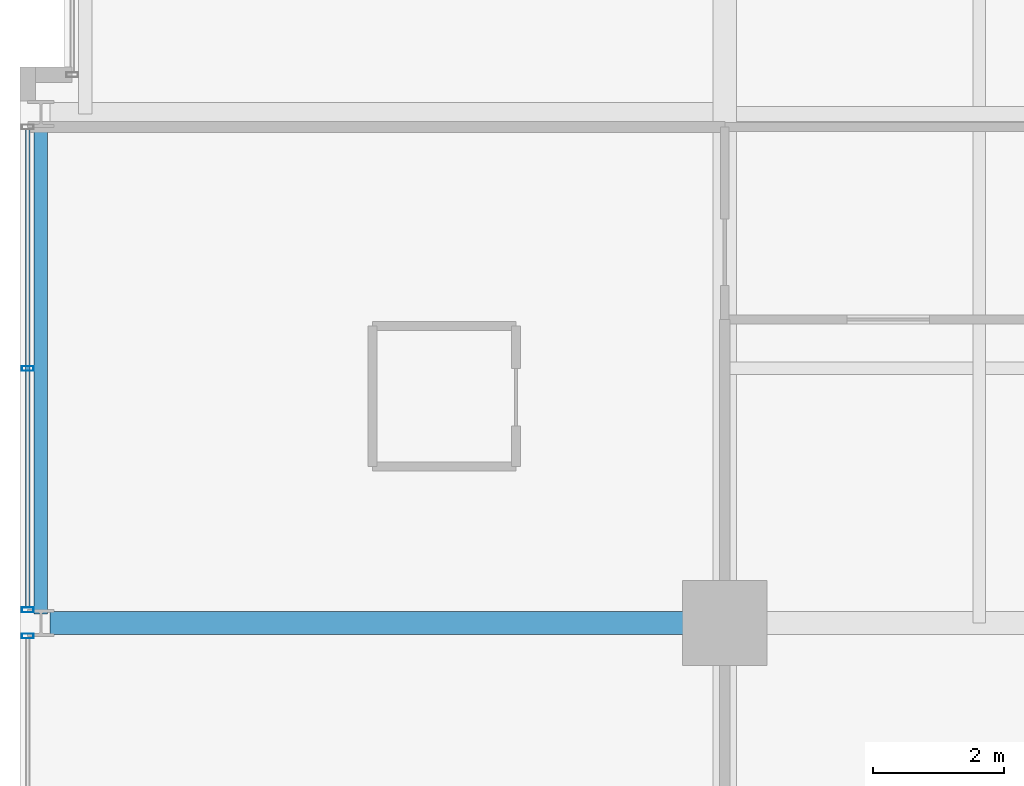
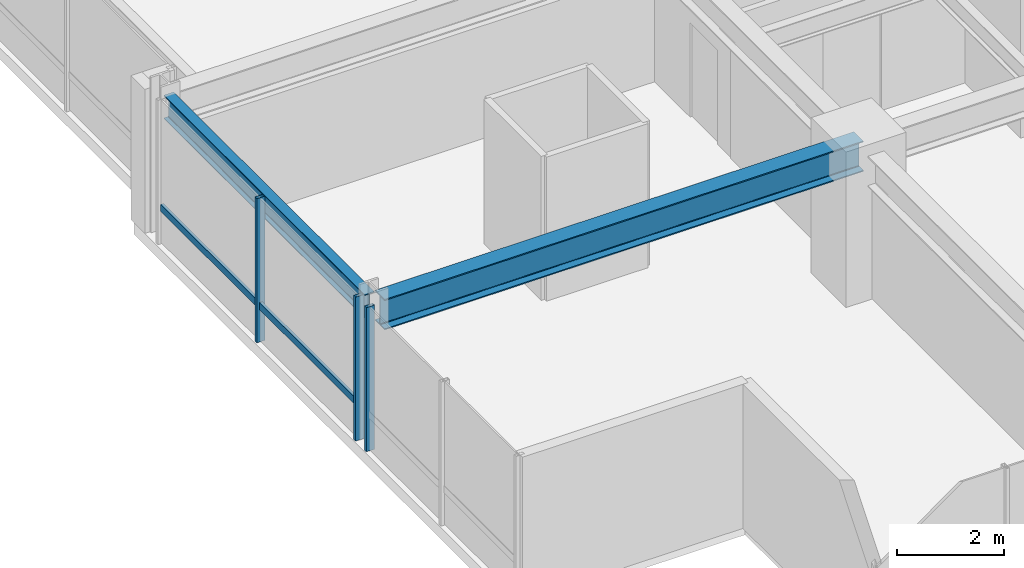
# One storey, part 4 of 33: 4 members, 2 beams, 2 elements without a shape of their own.
"""IFC4 building model written with IfcOpenShell, lengths in metres."""

from ifc_helpers import new_model, si_unit, direction, frame, origin, origin_2d, place, context, subcontext, project, spatial, hollow_rectangle, i_section, extrude, material, layer, layer_set, material_profile, profile_set, type_object, element, aggregate, save


model = new_model("IFC4")

# Units and contexts
model_context = context("Model", 3, precision=1e-05, world=origin(), true_north=direction((0.0, 1.0)))
body_context = subcontext(model_context, "Body", "Model", "MODEL_VIEW")
ifc_project = project(units=[si_unit("LENGTHUNIT", "METRE"), si_unit("AREAUNIT", "SQUARE_METRE"), si_unit("VOLUMEUNIT", "CUBIC_METRE"), si_unit("PLANEANGLEUNIT", "RADIAN"), si_unit("MASSUNIT", "GRAM", prefix="KILO")], contexts=[model_context])

# Site, building, storey
site_placement = place(None, origin())
site = spatial("IfcSite", under=ifc_project, at=site_placement, CompositionType="ELEMENT")
building_placement = place(site_placement, origin())
building = spatial("IfcBuilding", under=site, at=building_placement, Name="Drelvath Grand Hotel", CompositionType="ELEMENT")
storey_placement = place(building_placement, frame((0.0, 0.0, 171.699951171875)))
storey = spatial("IfcBuildingStorey", under=building, at=storey_placement, Name="L44", CompositionType="ELEMENT", Elevation=171.699951171875)

# Curtain wall, member
ifc_material_1 = material(Name="Brushed Pale-Silver Anodised Aluminium Frame", Category="aluminium")
ifc_layer = layer(ifc_material_1, 0.199951171875)
ifc_layer_set = layer_set([ifc_layer], Name="Brushed Pale-Silver Anodised Aluminium Frame")
curtain_wall_type = type_object("IfcCurtainWallType", Name="Stick Curtain Wall CW-04 Brushed Silver Upper-Mid", PredefinedType="NOTDEFINED", material=ifc_layer_set)
curtain_wall_1_placement = place(storey_placement, origin())
curtain_wall_1 = element("IfcCurtainWall", 1, at=curtain_wall_1_placement, inside=storey, type_object=curtain_wall_type, Name="L44 CW-04 Curtain Wall CW04-L44-WS2", PredefinedType="NOTDEFINED")
ifc_material_profile_1 = material_profile(ifc_material_1, hollow_rectangle(XDim=0.06494140625, YDim=0.159912109375, WallThickness=0.00390625, at=origin_2d()), Name="HSS160X65X4")
ifc_profile_set_1 = profile_set([ifc_material_profile_1], Name="Brushed Pale-Silver Anodised Aluminium Frame")
member_type_1 = type_object("IfcMemberType", Name="Curtain Wall Horizontal Transom CW-04 HSS160X65X4", PredefinedType="USERDEFINED", material=ifc_profile_set_1)
member_1_placement = place(storey_placement, frame((-26.8798828125, 11.0400390625, 0.822509765625), z_axis=(0.0, 1.0, 0.0), x_axis=(-1.0, 0.0, 0.0)))
member_1 = element("IfcMember", 2, at=member_1_placement, type_object=member_type_1, Name="CW04-L44-WS2 Sill Transom", ObjectType="TRANSOM", PredefinedType="USERDEFINED", context=body_context, shape_type="SweptSolid", body=[
    extrude(hollow_rectangle(XDim=0.06494140625, YDim=0.159912109375, WallThickness=0.00390625, at=origin_2d()), origin(), (0.0, 0.0, 1.0), 7.320068359375),
])

curtain_wall_2_placement = place(storey_placement, origin())
curtain_wall_2 = element("IfcCurtainWall", 3, at=curtain_wall_2_placement, inside=storey, type_object=curtain_wall_type, Name="L44 CW-04 Curtain Wall CW04-L44-WS1", PredefinedType="NOTDEFINED")
ifc_material_profile_2 = material_profile(ifc_material_1, hollow_rectangle(XDim=0.074951171875, YDim=0.179931640625, WallThickness=0.0048828125, at=origin_2d()), Name="HSS180X75X5")
ifc_profile_set_2 = profile_set([ifc_material_profile_2], Name="Brushed Pale-Silver Anodised Aluminium Frame")
member_type_2 = type_object("IfcMemberType", Name="Curtain Wall Vertical Mullion CW-04 HSS180X75X5", PredefinedType="MULLION", material=ifc_profile_set_2)
member_2_placement = place(storey_placement, frame((-26.8798828125, 10.599853515625, 0.0), z_axis=(0.0, 0.0, 1.0), x_axis=(0.0, 1.0, 0.0)))
member_2 = element("IfcMember", 4, at=member_2_placement, type_object=member_type_2, Name="CW04-L44-WS1 Mullion 3", PredefinedType="MULLION", context=body_context, shape_type="SweptSolid", body=[
    extrude(hollow_rectangle(XDim=0.074951171875, YDim=0.179931640625, WallThickness=0.0048828125, at=origin_2d()), origin(), (0.0, 0.0, 1.0), 3.2900390625),
])
aggregate(curtain_wall_2, [member_2])

# Member
member_3_placement = place(storey_placement, frame((-26.8798828125, 11.0, 0.0), z_axis=(0.0, 0.0, 1.0), x_axis=(0.0, 1.0, 0.0)))
member_3 = element("IfcMember", 5, at=member_3_placement, type_object=member_type_2, Name="CW04-L44-WS2 Mullion 1", PredefinedType="MULLION", context=body_context, shape_type="SweptSolid", body=[
    extrude(hollow_rectangle(XDim=0.074951171875, YDim=0.179931640625, WallThickness=0.0048828125, at=origin_2d()), origin(), (0.0, 0.0, 1.0), 3.2900390625),
])

member_4_placement = place(storey_placement, frame((-26.8798828125, 14.699951171875, 0.0), z_axis=(0.0, 0.0, 1.0), x_axis=(0.0, 1.0, 0.0)))
member_4 = element("IfcMember", 6, at=member_4_placement, type_object=member_type_2, Name="CW04-L44-WS2 Mullion 2", PredefinedType="MULLION", context=body_context, shape_type="SweptSolid", body=[
    extrude(hollow_rectangle(XDim=0.074951171875, YDim=0.179931640625, WallThickness=0.0048828125, at=origin_2d()), origin(), (0.0, 0.0, 1.0), 3.2900390625),
])

aggregate(curtain_wall_1, [member_3, member_4, member_1])

# Beams
ifc_material_2 = material(Name="Steel ASTM A992 Gr 50", Category="steel")
ifc_material_profile_3 = material_profile(ifc_material_2, i_section(OverallWidth=0.210205078125, OverallDepth=0.53662109375, WebThickness=0.010986328125, FlangeThickness=0.017333984375, FilletRadius=0.01806640625, at=origin_2d()), Name="W21X68")
ifc_profile_set_3 = profile_set([ifc_material_profile_3], Name="Steel ASTM A992 Gr 50")
beam_type_1 = type_object("IfcBeamType", Name="Perimeter Spandrel Beam W21X68", PredefinedType="SPANDREL", material=ifc_profile_set_3)
beam_1_placement = place(storey_placement, frame((-26.679931640625, 10.93994140625, 3.021728515625), z_axis=(0.0, 1.0, 0.0), x_axis=(-1.0, 0.0, 0.0)))
element("IfcBeam", 7, at=beam_1_placement, inside=storey, type_object=beam_type_1, Name="L44 Spandrel West S", PredefinedType="SPANDREL", context=body_context, shape_type="SweptSolid", body=[
    extrude(i_section(OverallWidth=0.210205078125, OverallDepth=0.53662109375, WebThickness=0.010986328125, FlangeThickness=0.017333984375, FilletRadius=0.01806640625, at=origin_2d()), origin(), (0.0, 0.0, 1.0), 7.52001953125),
])
ifc_material_profile_4 = material_profile(ifc_material_2, i_section(OverallWidth=0.354736328125, OverallDepth=0.695556640625, WebThickness=0.015380859375, FlangeThickness=0.025146484375, FilletRadius=0.02392578125, at=origin_2d()), Name="W27X146")
ifc_profile_set_4 = profile_set([ifc_material_profile_4], Name="Steel ASTM A992 Gr 50")
beam_type_2 = type_object("IfcBeamType", Name="Primary Floor Girder W27X146", PredefinedType="BEAM", material=ifc_profile_set_4)
beam_2_placement = place(storey_placement, frame((-26.5400390625, 10.800048828125, 2.9423828125), z_axis=(1.0, 0.0, 0.0), x_axis=(0.0, 1.0, 0.0)))
element("IfcBeam", 8, at=beam_2_placement, inside=storey, type_object=beam_type_2, Name="L44 West Grid Girder C", PredefinedType="BEAM", context=body_context, shape_type="SweptSolid", body=[
    extrude(i_section(OverallWidth=0.354736328125, OverallDepth=0.695556640625, WebThickness=0.015380859375, FlangeThickness=0.025146484375, FilletRadius=0.02392578125, at=origin_2d()), origin(), (0.0, 0.0, 1.0), 10.340087890625),
])

save(model, "model.ifc")
